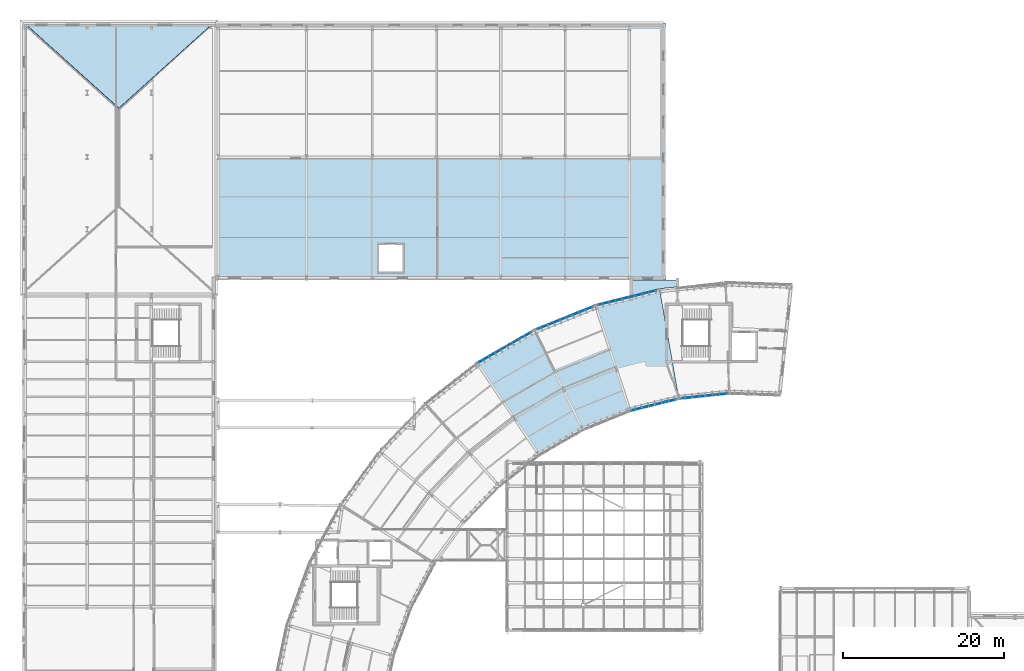
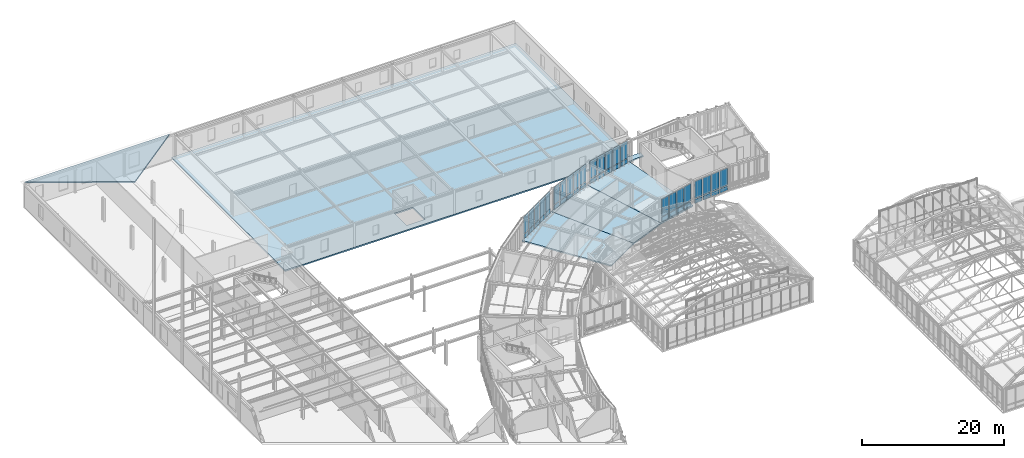
# One storey, part 103 of 148: 46 plates, 6 slabs, 5 elements without a shape of their own.
"""IFC4 building model written with IfcOpenShell, lengths in metres."""

from ifc_helpers import new_model, si_unit, direction, frame, origin, origin_2d, place, context, subcontext, project, spatial, polyline, rectangle, outline, extrude, material, layer, layer_set, type_object, element, aggregate, save


model = new_model("IFC4")

# Units and contexts
model_context = context("Model", 3, precision=1e-05, world=origin(), true_north=direction((0.0, 1.0)))
body_context = subcontext(model_context, "Body", "Model", "MODEL_VIEW")
ifc_project = project(units=[si_unit("LENGTHUNIT", "METRE"), si_unit("AREAUNIT", "SQUARE_METRE"), si_unit("VOLUMEUNIT", "CUBIC_METRE"), si_unit("PLANEANGLEUNIT", "RADIAN"), si_unit("MASSUNIT", "GRAM", prefix="KILO"), si_unit("THERMODYNAMICTEMPERATUREUNIT", "KELVIN"), si_unit("POWERUNIT", "WATT")], contexts=[model_context])

# Site, building, storey
site_placement = place(None, origin())
site = spatial("IfcSite", under=ifc_project, at=site_placement, CompositionType="ELEMENT")
building_placement = place(site_placement, origin())
building = spatial("IfcBuilding", under=site, at=building_placement, Name="Solvatero Civic Police Headquarters", CompositionType="ELEMENT")
storey_placement = place(building_placement, frame((0.0, 0.0, 5.10009765625)))
storey = spatial("IfcBuildingStorey", under=building, at=storey_placement, Name="L01", CompositionType="ELEMENT", Elevation=5.10009765625)

# Curtain wall, plates
ifc_material_1 = material(Name="Anodized Bronze Aluminium", Category="aluminium")
ifc_layer_1 = layer(ifc_material_1, 0.179931640625)
ifc_layer_set_1 = layer_set([ifc_layer_1], Name="Anodized Bronze Aluminium")
curtain_wall_type_1 = type_object("IfcCurtainWallType", Name="CW-ARC-IN", PredefinedType="USERDEFINED", material=ifc_layer_set_1)
curtain_wall_1_placement = place(storey_placement, origin())
curtain_wall_1 = element("IfcCurtainWall", 1, at=curtain_wall_1_placement, inside=storey, type_object=curtain_wall_type_1, Name="Curtain Wall CW-R2-L01-ARC-IN-B02", ObjectType="UNITISED", PredefinedType="USERDEFINED")
ifc_material_2 = material(Name="Triple Low-E Laminated Glass", Category="glass")
ifc_layer_2 = layer(ifc_material_2, 0.0380859375)
ifc_layer_set_2 = layer_set([ifc_layer_2], Name="Triple Low-E Laminated Glass")
plate_type_1 = type_object("IfcPlateType", Name="CWP-GLZ-38", PredefinedType="CURTAIN_PANEL", material=ifc_layer_set_2)
plate_1_placement = place(storey_placement, frame((90.06884765625, 70.8447265625, 0.91015625), z_axis=(0.0, 0.0, 1.0), x_axis=(-0.994521895368, -0.104528463268, 0.0)))
plate_1 = element("IfcPlate", 2, at=plate_1_placement, type_object=plate_type_1, Name="CW-R2-L01-ARC-IN-B02 Vision Glazing 2", PredefinedType="CURTAIN_PANEL", context=body_context, shape_type="SweptSolid", body=[
    extrude(rectangle(XDim=1.275634765625, YDim=0.0380859375, at=origin_2d()), origin(), (0.0, 0.0, 1.0), 2.969970703125),
])
plate_2_placement = place(storey_placement, frame((87.17333984375, 70.54052734375, 0.91015625), z_axis=(0.0, 0.0, 1.0), x_axis=(-0.994521895368, -0.104528463268, 0.0)))
plate_2 = element("IfcPlate", 3, at=plate_2_placement, type_object=plate_type_1, Name="CW-R2-L01-ARC-IN-B02 Vision Glazing 4", PredefinedType="CURTAIN_PANEL", context=body_context, shape_type="SweptSolid", body=[
    extrude(rectangle(XDim=1.275634765625, YDim=0.0380859375, at=origin_2d()), origin(), (0.0, 0.0, 1.0), 2.969970703125),
])

ifc_layer_3 = layer(ifc_material_1, 0.179931640625)
ifc_layer_set_3 = layer_set([ifc_layer_3], Name="Anodized Bronze Aluminium")
curtain_wall_type_2 = type_object("IfcCurtainWallType", Name="CW-ARC-OUT", PredefinedType="USERDEFINED", material=ifc_layer_set_3)
curtain_wall_2_placement = place(storey_placement, origin())
curtain_wall_2 = element("IfcCurtainWall", 4, at=curtain_wall_2_placement, inside=storey, type_object=curtain_wall_type_2, Name="Curtain Wall CW-R2-L01-ARC-OUT-B03", ObjectType="UNITISED", PredefinedType="USERDEFINED")
plate_3_placement = place(storey_placement, frame((82.698486328125, 83.717041015625, 0.91015625), z_axis=(0.0, 0.0, 1.0), x_axis=(-0.970295726276, -0.2419218956, 0.0)))
plate_3 = element("IfcPlate", 5, at=plate_3_placement, type_object=plate_type_1, Name="CW-R2-L01-ARC-OUT-B03 Vision Glazing 1", PredefinedType="CURTAIN_PANEL", context=body_context, shape_type="SweptSolid", body=[
    extrude(rectangle(XDim=1.328125, YDim=0.0380859375, at=origin_2d()), origin(), (0.0, 0.0, 1.0), 2.969970703125),
])
plate_4_placement = place(storey_placement, frame((79.77197265625, 82.9873046875, 0.91015625), z_axis=(0.0, 0.0, 1.0), x_axis=(-0.970295726276, -0.2419218956, 0.0)))
plate_4 = element("IfcPlate", 6, at=plate_4_placement, type_object=plate_type_1, Name="CW-R2-L01-ARC-OUT-B03 Vision Glazing 3", PredefinedType="CURTAIN_PANEL", context=body_context, shape_type="SweptSolid", body=[
    extrude(rectangle(XDim=1.328125, YDim=0.0380859375, at=origin_2d()), origin(), (0.0, 0.0, 1.0), 2.969970703125),
])
plate_5_placement = place(storey_placement, frame((76.845458984375, 82.257568359375, 0.91015625), z_axis=(0.0, 0.0, 1.0), x_axis=(-0.970295726276, -0.2419218956, 0.0)))
plate_5 = element("IfcPlate", 7, at=plate_5_placement, type_object=plate_type_1, Name="CW-R2-L01-ARC-OUT-B03 Vision Glazing 5", PredefinedType="CURTAIN_PANEL", context=body_context, shape_type="SweptSolid", body=[
    extrude(rectangle(XDim=1.328125, YDim=0.0380859375, at=origin_2d()), origin(), (0.0, 0.0, 1.0), 2.969970703125),
])

curtain_wall_3_placement = place(storey_placement, origin())
curtain_wall_3 = element("IfcCurtainWall", 8, at=curtain_wall_3_placement, inside=storey, type_object=curtain_wall_type_1, Name="Curtain Wall CW-R2-L01-ARC-IN-B03", ObjectType="UNITISED", PredefinedType="USERDEFINED")
plate_6_placement = place(storey_placement, frame((83.768798828125, 69.837158203125, 0.91015625), z_axis=(0.0, 0.0, 1.0), x_axis=(-0.970299948462, -0.241904960708, 0.0)))
plate_6 = element("IfcPlate", 9, at=plate_6_placement, type_object=plate_type_1, Name="CW-R2-L01-ARC-IN-B03 Vision Glazing 2", PredefinedType="CURTAIN_PANEL", context=body_context, shape_type="SweptSolid", body=[
    extrude(rectangle(XDim=1.275634765625, YDim=0.0380859375, at=origin_2d()), origin(), (0.0, 0.0, 1.0), 2.969970703125),
])
plate_7_placement = place(storey_placement, frame((80.94384765625, 69.1328125, 0.91015625), z_axis=(0.0, 0.0, 1.0), x_axis=(-0.970299948462, -0.241904960708, 0.0)))
plate_7 = element("IfcPlate", 10, at=plate_7_placement, type_object=plate_type_1, Name="CW-R2-L01-ARC-IN-B03 Vision Glazing 4", PredefinedType="CURTAIN_PANEL", context=body_context, shape_type="SweptSolid", body=[
    extrude(rectangle(XDim=1.275634765625, YDim=0.0380859375, at=origin_2d()), origin(), (0.0, 0.0, 1.0), 2.969970703125),
])

curtain_wall_4_placement = place(storey_placement, origin())
curtain_wall_4 = element("IfcCurtainWall", 11, at=curtain_wall_4_placement, inside=storey, type_object=curtain_wall_type_2, Name="Curtain Wall CW-R2-L01-ARC-OUT-B04", ObjectType="UNITISED", PredefinedType="USERDEFINED")
plate_8_placement = place(storey_placement, frame((74.81201171875, 81.596923828125, 0.91015625), z_axis=(0.0, 0.0, 1.0), x_axis=(-0.927183854567, -0.374606593416, 0.0)))
plate_8 = element("IfcPlate", 12, at=plate_8_placement, type_object=plate_type_1, Name="CW-R2-L01-ARC-OUT-B04 Vision Glazing 1", PredefinedType="CURTAIN_PANEL", context=body_context, shape_type="SweptSolid", body=[
    extrude(rectangle(XDim=1.326171875, YDim=0.0380859375, at=origin_2d()), origin(), (0.0, 0.0, 1.0), 2.969970703125),
])
plate_9_placement = place(storey_placement, frame((72.019287109375, 80.468505859375, 0.91015625), z_axis=(0.0, 0.0, 1.0), x_axis=(-0.927183854567, -0.374606593416, 0.0)))
plate_9 = element("IfcPlate", 13, at=plate_9_placement, type_object=plate_type_1, Name="CW-R2-L01-ARC-OUT-B04 Vision Glazing 3", PredefinedType="CURTAIN_PANEL", context=body_context, shape_type="SweptSolid", body=[
    extrude(rectangle(XDim=1.326171875, YDim=0.0380859375, at=origin_2d()), origin(), (0.0, 0.0, 1.0), 2.969970703125),
])
plate_10_placement = place(storey_placement, frame((69.226318359375, 79.340087890625, 0.91015625), z_axis=(0.0, 0.0, 1.0), x_axis=(-0.927183854567, -0.374606593416, 0.0)))
plate_10 = element("IfcPlate", 14, at=plate_10_placement, type_object=plate_type_1, Name="CW-R2-L01-ARC-OUT-B04 Vision Glazing 5", PredefinedType="CURTAIN_PANEL", context=body_context, shape_type="SweptSolid", body=[
    extrude(rectangle(XDim=1.326171875, YDim=0.0380859375, at=origin_2d()), origin(), (0.0, 0.0, 1.0), 2.969970703125),
])

curtain_wall_5_placement = place(storey_placement, origin())
curtain_wall_5 = element("IfcCurtainWall", 15, at=curtain_wall_5_placement, inside=storey, type_object=curtain_wall_type_2, Name="Curtain Wall CW-R2-L01-ARC-OUT-B05", ObjectType="UNITISED", PredefinedType="USERDEFINED")
plate_11_placement = place(storey_placement, frame((67.210693359375, 78.3564453125, 0.91015625), z_axis=(0.0, 0.0, 1.0), x_axis=(-0.866025403784, -0.5, 0.0)))
plate_11 = element("IfcPlate", 16, at=plate_11_placement, type_object=plate_type_1, Name="CW-R2-L01-ARC-OUT-B05 Vision Glazing 1", PredefinedType="CURTAIN_PANEL", context=body_context, shape_type="SweptSolid", body=[
    extrude(rectangle(XDim=1.34619140625, YDim=0.0380859375, at=origin_2d()), origin(), (0.0, 0.0, 1.0), 2.969970703125),
])
plate_12_placement = place(storey_placement, frame((64.567626953125, 76.830322265625, 0.91015625), z_axis=(0.0, 0.0, 1.0), x_axis=(-0.866025403784, -0.5, 0.0)))
plate_12 = element("IfcPlate", 17, at=plate_12_placement, type_object=plate_type_1, Name="CW-R2-L01-ARC-OUT-B05 Vision Glazing 3", PredefinedType="CURTAIN_PANEL", context=body_context, shape_type="SweptSolid", body=[
    extrude(rectangle(XDim=1.34619140625, YDim=0.0380859375, at=origin_2d()), origin(), (0.0, 0.0, 1.0), 2.969970703125),
])
plate_13_placement = place(storey_placement, frame((61.92431640625, 75.30419921875, 0.91015625), z_axis=(0.0, 0.0, 1.0), x_axis=(-0.866025403784, -0.5, 0.0)))
plate_13 = element("IfcPlate", 18, at=plate_13_placement, type_object=plate_type_1, Name="CW-R2-L01-ARC-OUT-B05 Vision Glazing 5", PredefinedType="CURTAIN_PANEL", context=body_context, shape_type="SweptSolid", body=[
    extrude(rectangle(XDim=1.34619140625, YDim=0.0380859375, at=origin_2d()), origin(), (0.0, 0.0, 1.0), 2.969970703125),
])

# Plate
ifc_material_3 = material(Name="Acoustic Ballistic Laminated Glass", Category="glass")
ifc_layer_4 = layer(ifc_material_3, 0.0439453125)
ifc_layer_set_4 = layer_set([ifc_layer_4], Name="Acoustic Ballistic Laminated Glass")
plate_type_2 = type_object("IfcPlateType", Name="CWP-GLZ-44", PredefinedType="CURTAIN_PANEL", material=ifc_layer_set_4)
plate_14_placement = place(storey_placement, frame((91.5166015625, 70.9970703125, 0.91015625), z_axis=(0.0, 0.0, 1.0), x_axis=(-0.994521895368, -0.104528463268, 0.0)))
plate_14 = element("IfcPlate", 19, at=plate_14_placement, type_object=plate_type_2, Name="CW-R2-L01-ARC-IN-B02 Vision Glazing 1", PredefinedType="CURTAIN_PANEL", context=body_context, shape_type="SweptSolid", body=[
    extrude(rectangle(XDim=1.275634765625, YDim=0.0439453125, at=origin_2d()), origin(), (0.0, 0.0, 1.0), 2.969970703125),
])

plate_15_placement = place(storey_placement, frame((88.62109375, 70.692626953125, 0.91015625), z_axis=(0.0, 0.0, 1.0), x_axis=(-0.994521895368, -0.104528463268, 0.0)))
plate_15 = element("IfcPlate", 20, at=plate_15_placement, type_object=plate_type_2, Name="CW-R2-L01-ARC-IN-B02 Vision Glazing 3", PredefinedType="CURTAIN_PANEL", context=body_context, shape_type="SweptSolid", body=[
    extrude(rectangle(XDim=1.275634765625, YDim=0.0439453125, at=origin_2d()), origin(), (0.0, 0.0, 1.0), 2.969970703125),
])

plate_16_placement = place(storey_placement, frame((81.235107421875, 83.35205078125, 0.91015625), z_axis=(0.0, 0.0, 1.0), x_axis=(-0.970295726276, -0.2419218956, 0.0)))
plate_16 = element("IfcPlate", 21, at=plate_16_placement, type_object=plate_type_2, Name="CW-R2-L01-ARC-OUT-B03 Vision Glazing 2", PredefinedType="CURTAIN_PANEL", context=body_context, shape_type="SweptSolid", body=[
    extrude(rectangle(XDim=1.328125, YDim=0.0439453125, at=origin_2d()), origin(), (0.0, 0.0, 1.0), 2.969970703125),
])

plate_17_placement = place(storey_placement, frame((78.30859375, 82.62255859375, 0.91015625), z_axis=(0.0, 0.0, 1.0), x_axis=(-0.970295726276, -0.2419218956, 0.0)))
plate_17 = element("IfcPlate", 22, at=plate_17_placement, type_object=plate_type_2, Name="CW-R2-L01-ARC-OUT-B03 Vision Glazing 4", PredefinedType="CURTAIN_PANEL", context=body_context, shape_type="SweptSolid", body=[
    extrude(rectangle(XDim=1.328125, YDim=0.0439453125, at=origin_2d()), origin(), (0.0, 0.0, 1.0), 2.969970703125),
])

plate_18_placement = place(storey_placement, frame((85.181396484375, 70.189208984375, 0.91015625), z_axis=(0.0, 0.0, 1.0), x_axis=(-0.970299948462, -0.241904960708, 0.0)))
plate_18 = element("IfcPlate", 23, at=plate_18_placement, type_object=plate_type_2, Name="CW-R2-L01-ARC-IN-B03 Vision Glazing 1", PredefinedType="CURTAIN_PANEL", context=body_context, shape_type="SweptSolid", body=[
    extrude(rectangle(XDim=1.275634765625, YDim=0.0439453125, at=origin_2d()), origin(), (0.0, 0.0, 1.0), 2.969970703125),
])

plate_19_placement = place(storey_placement, frame((82.3564453125, 69.48486328125, 0.91015625), z_axis=(0.0, 0.0, 1.0), x_axis=(-0.970299948462, -0.241904960708, 0.0)))
plate_19 = element("IfcPlate", 24, at=plate_19_placement, type_object=plate_type_2, Name="CW-R2-L01-ARC-IN-B03 Vision Glazing 3", PredefinedType="CURTAIN_PANEL", context=body_context, shape_type="SweptSolid", body=[
    extrude(rectangle(XDim=1.275634765625, YDim=0.0439453125, at=origin_2d()), origin(), (0.0, 0.0, 1.0), 2.969970703125),
])

plate_20_placement = place(storey_placement, frame((73.41552734375, 81.03271484375, 0.91015625), z_axis=(0.0, 0.0, 1.0), x_axis=(-0.927183854567, -0.374606593416, 0.0)))
plate_20 = element("IfcPlate", 25, at=plate_20_placement, type_object=plate_type_2, Name="CW-R2-L01-ARC-OUT-B04 Vision Glazing 2", PredefinedType="CURTAIN_PANEL", context=body_context, shape_type="SweptSolid", body=[
    extrude(rectangle(XDim=1.326171875, YDim=0.0439453125, at=origin_2d()), origin(), (0.0, 0.0, 1.0), 2.969970703125),
])

plate_21_placement = place(storey_placement, frame((70.622802734375, 79.904296875, 0.91015625), z_axis=(0.0, 0.0, 1.0), x_axis=(-0.927183854567, -0.374606593416, 0.0)))
plate_21 = element("IfcPlate", 26, at=plate_21_placement, type_object=plate_type_2, Name="CW-R2-L01-ARC-OUT-B04 Vision Glazing 4", PredefinedType="CURTAIN_PANEL", context=body_context, shape_type="SweptSolid", body=[
    extrude(rectangle(XDim=1.326171875, YDim=0.0439453125, at=origin_2d()), origin(), (0.0, 0.0, 1.0), 2.969970703125),
])

plate_22_placement = place(storey_placement, frame((65.88916015625, 77.59326171875, 0.91015625), z_axis=(0.0, 0.0, 1.0), x_axis=(-0.866025403784, -0.5, 0.0)))
plate_22 = element("IfcPlate", 27, at=plate_22_placement, type_object=plate_type_2, Name="CW-R2-L01-ARC-OUT-B05 Vision Glazing 2", PredefinedType="CURTAIN_PANEL", context=body_context, shape_type="SweptSolid", body=[
    extrude(rectangle(XDim=1.34619140625, YDim=0.0439453125, at=origin_2d()), origin(), (0.0, 0.0, 1.0), 2.969970703125),
])

plate_23_placement = place(storey_placement, frame((63.245849609375, 76.0673828125, 0.91015625), z_axis=(0.0, 0.0, 1.0), x_axis=(-0.866025403784, -0.5, 0.0)))
plate_23 = element("IfcPlate", 28, at=plate_23_placement, type_object=plate_type_2, Name="CW-R2-L01-ARC-OUT-B05 Vision Glazing 4", PredefinedType="CURTAIN_PANEL", context=body_context, shape_type="SweptSolid", body=[
    extrude(rectangle(XDim=1.34619140625, YDim=0.0439453125, at=origin_2d()), origin(), (0.0, 0.0, 1.0), 2.969970703125),
])

ifc_material_4 = material(Name="Insulated Bronze Aluminium Spandrel", Category="aluminium")
ifc_layer_5 = layer(ifc_material_4, 0.06005859375)
ifc_layer_set_5 = layer_set([ifc_layer_5], Name="Insulated Bronze Aluminium Spandrel")
plate_type_3 = type_object("IfcPlateType", Name="CWP-SPN-60", PredefinedType="CURTAIN_PANEL", material=ifc_layer_set_5)
plate_24_placement = place(storey_placement, frame((90.06884765625, 70.8447265625, 0.059814453125), z_axis=(0.0, 0.0, 1.0), x_axis=(-0.994521895368, -0.104528463268, 0.0)))
plate_24 = element("IfcPlate", 29, at=plate_24_placement, type_object=plate_type_3, Name="CW-R2-L01-ARC-IN-B02 Spandrel Panel 2", PredefinedType="CURTAIN_PANEL", context=body_context, shape_type="SweptSolid", body=[
    extrude(rectangle(XDim=1.275634765625, YDim=0.06005859375, at=origin_2d()), origin(), (0.0, 0.0, 1.0), 0.72998046875),
])

plate_25_placement = place(storey_placement, frame((87.17333984375, 70.54052734375, 0.059814453125), z_axis=(0.0, 0.0, 1.0), x_axis=(-0.994521895368, -0.104528463268, 0.0)))
plate_25 = element("IfcPlate", 30, at=plate_25_placement, type_object=plate_type_3, Name="CW-R2-L01-ARC-IN-B02 Spandrel Panel 4", PredefinedType="CURTAIN_PANEL", context=body_context, shape_type="SweptSolid", body=[
    extrude(rectangle(XDim=1.275634765625, YDim=0.06005859375, at=origin_2d()), origin(), (0.0, 0.0, 1.0), 0.72998046875),
])

plate_26_placement = place(storey_placement, frame((82.698486328125, 83.717041015625, 0.059814453125), z_axis=(0.0, 0.0, 1.0), x_axis=(-0.970295726276, -0.2419218956, 0.0)))
plate_26 = element("IfcPlate", 31, at=plate_26_placement, type_object=plate_type_3, Name="CW-R2-L01-ARC-OUT-B03 Spandrel Panel 1", PredefinedType="CURTAIN_PANEL", context=body_context, shape_type="SweptSolid", body=[
    extrude(rectangle(XDim=1.328125, YDim=0.06005859375, at=origin_2d()), origin(), (0.0, 0.0, 1.0), 0.72998046875),
])

plate_27_placement = place(storey_placement, frame((79.77197265625, 82.9873046875, 0.059814453125), z_axis=(0.0, 0.0, 1.0), x_axis=(-0.970295726276, -0.2419218956, 0.0)))
plate_27 = element("IfcPlate", 32, at=plate_27_placement, type_object=plate_type_3, Name="CW-R2-L01-ARC-OUT-B03 Spandrel Panel 3", PredefinedType="CURTAIN_PANEL", context=body_context, shape_type="SweptSolid", body=[
    extrude(rectangle(XDim=1.328125, YDim=0.06005859375, at=origin_2d()), origin(), (0.0, 0.0, 1.0), 0.72998046875),
])

plate_28_placement = place(storey_placement, frame((76.845458984375, 82.257568359375, 0.059814453125), z_axis=(0.0, 0.0, 1.0), x_axis=(-0.970295726276, -0.2419218956, 0.0)))
plate_28 = element("IfcPlate", 33, at=plate_28_placement, type_object=plate_type_3, Name="CW-R2-L01-ARC-OUT-B03 Spandrel Panel 5", PredefinedType="CURTAIN_PANEL", context=body_context, shape_type="SweptSolid", body=[
    extrude(rectangle(XDim=1.328125, YDim=0.06005859375, at=origin_2d()), origin(), (0.0, 0.0, 1.0), 0.72998046875),
])

plate_29_placement = place(storey_placement, frame((83.768798828125, 69.837158203125, 0.059814453125), z_axis=(0.0, 0.0, 1.0), x_axis=(-0.970299948462, -0.241904960708, 0.0)))
plate_29 = element("IfcPlate", 34, at=plate_29_placement, type_object=plate_type_3, Name="CW-R2-L01-ARC-IN-B03 Spandrel Panel 2", PredefinedType="CURTAIN_PANEL", context=body_context, shape_type="SweptSolid", body=[
    extrude(rectangle(XDim=1.275634765625, YDim=0.06005859375, at=origin_2d()), origin(), (0.0, 0.0, 1.0), 0.72998046875),
])

plate_30_placement = place(storey_placement, frame((80.94384765625, 69.1328125, 0.059814453125), z_axis=(0.0, 0.0, 1.0), x_axis=(-0.970299948462, -0.241904960708, 0.0)))
plate_30 = element("IfcPlate", 35, at=plate_30_placement, type_object=plate_type_3, Name="CW-R2-L01-ARC-IN-B03 Spandrel Panel 4", PredefinedType="CURTAIN_PANEL", context=body_context, shape_type="SweptSolid", body=[
    extrude(rectangle(XDim=1.275634765625, YDim=0.06005859375, at=origin_2d()), origin(), (0.0, 0.0, 1.0), 0.72998046875),
])

plate_31_placement = place(storey_placement, frame((74.81201171875, 81.596923828125, 0.059814453125), z_axis=(0.0, 0.0, 1.0), x_axis=(-0.927183854567, -0.374606593416, 0.0)))
plate_31 = element("IfcPlate", 36, at=plate_31_placement, type_object=plate_type_3, Name="CW-R2-L01-ARC-OUT-B04 Spandrel Panel 1", PredefinedType="CURTAIN_PANEL", context=body_context, shape_type="SweptSolid", body=[
    extrude(rectangle(XDim=1.326171875, YDim=0.06005859375, at=origin_2d()), origin(), (0.0, 0.0, 1.0), 0.72998046875),
])

plate_32_placement = place(storey_placement, frame((72.019287109375, 80.468505859375, 0.059814453125), z_axis=(0.0, 0.0, 1.0), x_axis=(-0.927183854567, -0.374606593416, 0.0)))
plate_32 = element("IfcPlate", 37, at=plate_32_placement, type_object=plate_type_3, Name="CW-R2-L01-ARC-OUT-B04 Spandrel Panel 3", PredefinedType="CURTAIN_PANEL", context=body_context, shape_type="SweptSolid", body=[
    extrude(rectangle(XDim=1.326171875, YDim=0.06005859375, at=origin_2d()), origin(), (0.0, 0.0, 1.0), 0.72998046875),
])

plate_33_placement = place(storey_placement, frame((69.226318359375, 79.340087890625, 0.059814453125), z_axis=(0.0, 0.0, 1.0), x_axis=(-0.927183854567, -0.374606593416, 0.0)))
plate_33 = element("IfcPlate", 38, at=plate_33_placement, type_object=plate_type_3, Name="CW-R2-L01-ARC-OUT-B04 Spandrel Panel 5", PredefinedType="CURTAIN_PANEL", context=body_context, shape_type="SweptSolid", body=[
    extrude(rectangle(XDim=1.326171875, YDim=0.06005859375, at=origin_2d()), origin(), (0.0, 0.0, 1.0), 0.72998046875),
])

plate_34_placement = place(storey_placement, frame((67.210693359375, 78.3564453125, 0.059814453125), z_axis=(0.0, 0.0, 1.0), x_axis=(-0.866025403784, -0.5, 0.0)))
plate_34 = element("IfcPlate", 39, at=plate_34_placement, type_object=plate_type_3, Name="CW-R2-L01-ARC-OUT-B05 Spandrel Panel 1", PredefinedType="CURTAIN_PANEL", context=body_context, shape_type="SweptSolid", body=[
    extrude(rectangle(XDim=1.34619140625, YDim=0.06005859375, at=origin_2d()), origin(), (0.0, 0.0, 1.0), 0.72998046875),
])

plate_35_placement = place(storey_placement, frame((64.567626953125, 76.830322265625, 0.059814453125), z_axis=(0.0, 0.0, 1.0), x_axis=(-0.866025403784, -0.5, 0.0)))
plate_35 = element("IfcPlate", 40, at=plate_35_placement, type_object=plate_type_3, Name="CW-R2-L01-ARC-OUT-B05 Spandrel Panel 3", PredefinedType="CURTAIN_PANEL", context=body_context, shape_type="SweptSolid", body=[
    extrude(rectangle(XDim=1.34619140625, YDim=0.06005859375, at=origin_2d()), origin(), (0.0, 0.0, 1.0), 0.72998046875),
])

plate_36_placement = place(storey_placement, frame((61.92431640625, 75.30419921875, 0.059814453125), z_axis=(0.0, 0.0, 1.0), x_axis=(-0.866025403784, -0.5, 0.0)))
plate_36 = element("IfcPlate", 41, at=plate_36_placement, type_object=plate_type_3, Name="CW-R2-L01-ARC-OUT-B05 Spandrel Panel 5", PredefinedType="CURTAIN_PANEL", context=body_context, shape_type="SweptSolid", body=[
    extrude(rectangle(XDim=1.34619140625, YDim=0.06005859375, at=origin_2d()), origin(), (0.0, 0.0, 1.0), 0.72998046875),
])

ifc_material_5 = material(Name="Limestone Veneer Spandrel Panel", Category="masonry")
ifc_layer_6 = layer(ifc_material_5, 0.074951171875)
ifc_layer_set_6 = layer_set([ifc_layer_6], Name="Limestone Veneer Spandrel Panel")
plate_type_4 = type_object("IfcPlateType", Name="CWP-SPN-75", PredefinedType="CURTAIN_PANEL", material=ifc_layer_set_6)
plate_37_placement = place(storey_placement, frame((91.5166015625, 70.9970703125, 0.059814453125), z_axis=(0.0, 0.0, 1.0), x_axis=(-0.994521895368, -0.104528463268, 0.0)))
plate_37 = element("IfcPlate", 42, at=plate_37_placement, type_object=plate_type_4, Name="CW-R2-L01-ARC-IN-B02 Spandrel Panel 1", PredefinedType="CURTAIN_PANEL", context=body_context, shape_type="SweptSolid", body=[
    extrude(rectangle(XDim=1.275634765625, YDim=0.074951171875, at=origin_2d()), origin(), (0.0, 0.0, 1.0), 0.72998046875),
])

plate_38_placement = place(storey_placement, frame((88.62109375, 70.692626953125, 0.059814453125), z_axis=(0.0, 0.0, 1.0), x_axis=(-0.994521895368, -0.104528463268, 0.0)))
plate_38 = element("IfcPlate", 43, at=plate_38_placement, type_object=plate_type_4, Name="CW-R2-L01-ARC-IN-B02 Spandrel Panel 3", PredefinedType="CURTAIN_PANEL", context=body_context, shape_type="SweptSolid", body=[
    extrude(rectangle(XDim=1.275634765625, YDim=0.074951171875, at=origin_2d()), origin(), (0.0, 0.0, 1.0), 0.72998046875),
])

aggregate(curtain_wall_1, [plate_37, plate_14, plate_24, plate_1, plate_38, plate_15, plate_25, plate_2])

plate_39_placement = place(storey_placement, frame((81.235107421875, 83.35205078125, 0.059814453125), z_axis=(0.0, 0.0, 1.0), x_axis=(-0.970295726276, -0.2419218956, 0.0)))
plate_39 = element("IfcPlate", 44, at=plate_39_placement, type_object=plate_type_4, Name="CW-R2-L01-ARC-OUT-B03 Spandrel Panel 2", PredefinedType="CURTAIN_PANEL", context=body_context, shape_type="SweptSolid", body=[
    extrude(rectangle(XDim=1.328125, YDim=0.074951171875, at=origin_2d()), origin(), (0.0, 0.0, 1.0), 0.72998046875),
])

plate_40_placement = place(storey_placement, frame((78.30859375, 82.62255859375, 0.059814453125), z_axis=(0.0, 0.0, 1.0), x_axis=(-0.970295726276, -0.2419218956, 0.0)))
plate_40 = element("IfcPlate", 45, at=plate_40_placement, type_object=plate_type_4, Name="CW-R2-L01-ARC-OUT-B03 Spandrel Panel 4", PredefinedType="CURTAIN_PANEL", context=body_context, shape_type="SweptSolid", body=[
    extrude(rectangle(XDim=1.328125, YDim=0.074951171875, at=origin_2d()), origin(), (0.0, 0.0, 1.0), 0.72998046875),
])

aggregate(curtain_wall_2, [plate_26, plate_3, plate_39, plate_16, plate_27, plate_4, plate_40, plate_17, plate_28, plate_5])

plate_41_placement = place(storey_placement, frame((85.181396484375, 70.189208984375, 0.059814453125), z_axis=(0.0, 0.0, 1.0), x_axis=(-0.970299948462, -0.241904960708, 0.0)))
plate_41 = element("IfcPlate", 46, at=plate_41_placement, type_object=plate_type_4, Name="CW-R2-L01-ARC-IN-B03 Spandrel Panel 1", PredefinedType="CURTAIN_PANEL", context=body_context, shape_type="SweptSolid", body=[
    extrude(rectangle(XDim=1.275634765625, YDim=0.074951171875, at=origin_2d()), origin(), (0.0, 0.0, 1.0), 0.72998046875),
])

plate_42_placement = place(storey_placement, frame((82.3564453125, 69.48486328125, 0.059814453125), z_axis=(0.0, 0.0, 1.0), x_axis=(-0.970299948462, -0.241904960708, 0.0)))
plate_42 = element("IfcPlate", 47, at=plate_42_placement, type_object=plate_type_4, Name="CW-R2-L01-ARC-IN-B03 Spandrel Panel 3", PredefinedType="CURTAIN_PANEL", context=body_context, shape_type="SweptSolid", body=[
    extrude(rectangle(XDim=1.275634765625, YDim=0.074951171875, at=origin_2d()), origin(), (0.0, 0.0, 1.0), 0.72998046875),
])

aggregate(curtain_wall_3, [plate_41, plate_18, plate_29, plate_6, plate_42, plate_19, plate_30, plate_7])

plate_43_placement = place(storey_placement, frame((73.41552734375, 81.03271484375, 0.059814453125), z_axis=(0.0, 0.0, 1.0), x_axis=(-0.927183854567, -0.374606593416, 0.0)))
plate_43 = element("IfcPlate", 48, at=plate_43_placement, type_object=plate_type_4, Name="CW-R2-L01-ARC-OUT-B04 Spandrel Panel 2", PredefinedType="CURTAIN_PANEL", context=body_context, shape_type="SweptSolid", body=[
    extrude(rectangle(XDim=1.326171875, YDim=0.074951171875, at=origin_2d()), origin(), (0.0, 0.0, 1.0), 0.72998046875),
])

plate_44_placement = place(storey_placement, frame((70.622802734375, 79.904296875, 0.059814453125), z_axis=(0.0, 0.0, 1.0), x_axis=(-0.927183854567, -0.374606593416, 0.0)))
plate_44 = element("IfcPlate", 49, at=plate_44_placement, type_object=plate_type_4, Name="CW-R2-L01-ARC-OUT-B04 Spandrel Panel 4", PredefinedType="CURTAIN_PANEL", context=body_context, shape_type="SweptSolid", body=[
    extrude(rectangle(XDim=1.326171875, YDim=0.074951171875, at=origin_2d()), origin(), (0.0, 0.0, 1.0), 0.72998046875),
])

aggregate(curtain_wall_4, [plate_31, plate_8, plate_43, plate_20, plate_32, plate_9, plate_44, plate_21, plate_33, plate_10])

plate_45_placement = place(storey_placement, frame((65.88916015625, 77.59326171875, 0.059814453125), z_axis=(0.0, 0.0, 1.0), x_axis=(-0.866025403784, -0.5, 0.0)))
plate_45 = element("IfcPlate", 50, at=plate_45_placement, type_object=plate_type_4, Name="CW-R2-L01-ARC-OUT-B05 Spandrel Panel 2", PredefinedType="CURTAIN_PANEL", context=body_context, shape_type="SweptSolid", body=[
    extrude(rectangle(XDim=1.34619140625, YDim=0.074951171875, at=origin_2d()), origin(), (0.0, 0.0, 1.0), 0.72998046875),
])

plate_46_placement = place(storey_placement, frame((63.245849609375, 76.0673828125, 0.059814453125), z_axis=(0.0, 0.0, 1.0), x_axis=(-0.866025403784, -0.5, 0.0)))
plate_46 = element("IfcPlate", 51, at=plate_46_placement, type_object=plate_type_4, Name="CW-R2-L01-ARC-OUT-B05 Spandrel Panel 4", PredefinedType="CURTAIN_PANEL", context=body_context, shape_type="SweptSolid", body=[
    extrude(rectangle(XDim=1.34619140625, YDim=0.074951171875, at=origin_2d()), origin(), (0.0, 0.0, 1.0), 0.72998046875),
])

aggregate(curtain_wall_5, [plate_34, plate_11, plate_45, plate_22, plate_35, plate_12, plate_46, plate_23, plate_36, plate_13])

# Slabs
ifc_material_6 = material(Name="Concrete C35/45", Category="concrete")
ifc_layer_7 = layer(ifc_material_6, 0.199951171875)
ifc_layer_set_7 = layer_set([ifc_layer_7], Name="Concrete C35/45")
slab_type_1 = type_object("IfcSlabType", Name="SLB-COMP-200", PredefinedType="FLOOR", material=ifc_layer_set_7)
slab_1_placement = place(storey_placement, frame((0.0, 0.0, -0.22021484375)))
element("IfcSlab", 52, at=slab_1_placement, inside=storey, type_object=slab_type_1, Name="L01 Operations Arc Floor Slab Bay 3", PredefinedType="FLOOR", context=body_context, shape_type="SweptSolid", body=[
    extrude(outline(polyline([(83.7529296875, 84.103271484375), (86.183837890625, 70.31591796875), (80.09423828125, 68.797607421875), (75.76806640625, 82.1123046875), (83.7529296875, 84.103271484375)])), origin(), (0.0, 0.0, 1.0), 0.22021484375),
])
slab_2_placement = place(storey_placement, frame((0.0, 0.0, -0.22021484375)))
element("IfcSlab", 53, at=slab_2_placement, inside=storey, type_object=slab_type_1, Name="L01 Operations Arc Floor Slab Bay 4", PredefinedType="FLOOR", context=body_context, shape_type="SweptSolid", body=[
    extrude(outline(polyline([(75.76611328125, 82.111572265625), (80.09228515625, 68.796630859375), (74.273193359375, 66.44580078125), (68.135986328125, 79.02880859375), (75.76611328125, 82.111572265625)])), origin(), (0.0, 0.0, 1.0), 0.22021484375),
])
slab_3_placement = place(storey_placement, frame((0.0, 0.0, -0.22021484375)))
element("IfcSlab", 54, at=slab_3_placement, inside=storey, type_object=slab_type_1, Name="L01 Operations Arc Floor Slab Bay 5", PredefinedType="FLOOR", context=body_context, shape_type="SweptSolid", body=[
    extrude(outline(polyline([(68.134521484375, 79.02783203125), (74.271484375, 66.444580078125), (68.836181640625, 63.306640625), (61.007568359375, 74.9130859375), (68.134521484375, 79.02783203125)])), origin(), (0.0, 0.0, 1.0), 0.22021484375),
])
ifc_layer_8 = layer(ifc_material_6, 0.219970703125)
ifc_layer_set_8 = layer_set([ifc_layer_8], Name="Concrete C35/45")
slab_type_2 = type_object("IfcSlabType", Name="SLB-COMP-220", PredefinedType="FLOOR", material=ifc_layer_set_8)
slab_4_placement = place(storey_placement, frame((0.0, 0.0, -0.22021484375)))
element("IfcSlab", 55, at=slab_4_placement, inside=storey, type_object=slab_type_2, Name="L01 Suspended floor slab SLB-L01-C3LK", PredefinedType="FLOOR", context=body_context, shape_type="SweptSolid", body=[
    extrude(outline(polyline([(80.0, 85.197998046875), (84.501953125, 85.197998046875), (84.501953125, 85.199951171875), (86.199951171875, 85.199951171875), (86.199951171875, 84.36279296875), (83.75244140625, 84.10546875), (80.0, 83.169677734375), (80.0, 85.197998046875)])), origin(), (0.0, 0.0, 1.0), 0.22021484375),
])
ifc_layer_9 = layer(ifc_material_6, 0.239990234375)
ifc_layer_set_9 = layer_set([ifc_layer_9], Name="Concrete C35/45")
slab_type_3 = type_object("IfcSlabType", Name="SLB-COMP-240", PredefinedType="FLOOR", material=ifc_layer_set_9)
slab_5_placement = place(storey_placement, frame((0.0, 0.0, -0.239990234375)))
element("IfcSlab", 56, at=slab_5_placement, inside=storey, type_object=slab_type_3, Name="L01 Suspended floor slab SLB-L01-V7", PredefinedType="FLOOR", context=body_context, shape_type="SweptSolid", body=[
    extrude(outline(polyline([(84.5, 117.199951171875), (84.5, 85.199951171875), (28.501953125, 85.199951171875), (28.501953125, 117.199951171875), (84.5, 117.199951171875)]), holes=[polyline([(51.800048828125, 86.199951171875), (51.800048828125, 89.60009765625), (48.800048828125, 89.60009765625), (48.800048828125, 86.199951171875), (51.800048828125, 86.199951171875)])]), origin(), (0.0, 0.0, 1.0), 0.239990234375),
])
ifc_layer_10 = layer(ifc_material_6, 0.179931640625)
ifc_layer_set_10 = layer_set([ifc_layer_10], Name="Concrete C35/45")
slab_type_4 = type_object("IfcSlabType", Name="SLB-RF-COT-180", PredefinedType="ROOF", material=ifc_layer_set_10)
slab_6_placement = place(storey_placement, frame((4.662353515625, 117.199951171875, 4.119873046875), z_axis=(0.0, 0.216064380838, 0.976379118649), x_axis=(1.0, 0.0, 0.0)))
element("IfcSlab", 57, at=slab_6_placement, inside=storey, type_object=slab_type_4, Name="V7NW Lombard Hipped Roof Slab N", PredefinedType="ROOF", context=body_context, shape_type="SweptSolid", body=[
    extrude(outline(polyline([(0.0, 0.0), (23.575439453125, 0.0), (11.78759765625, -10.86554035837308), (0.0, 0.0)])), origin(), (0.0, 0.0, -1.0), 0.179931640625),
])

save(model, "model.ifc")
